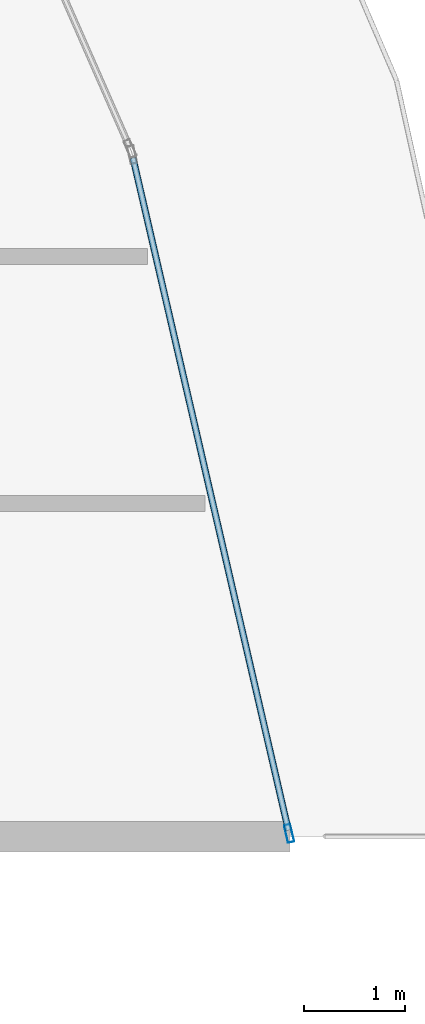
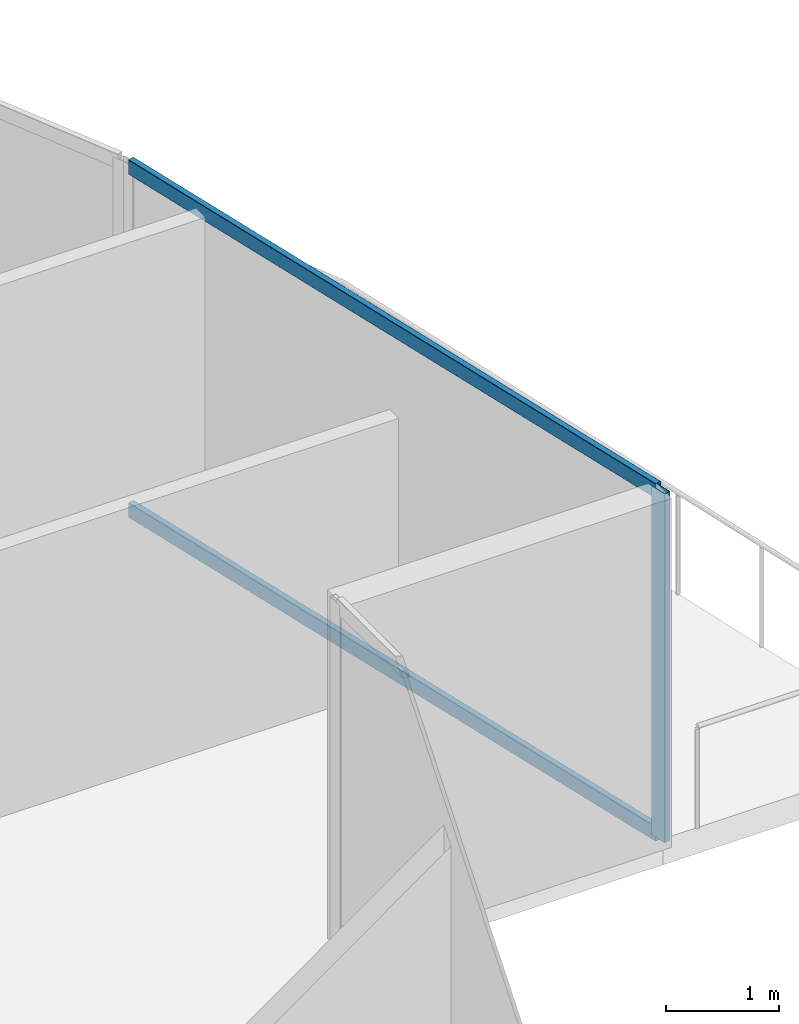
# One storey, part 27 of 44: 3 members, 1 element without a shape of its own.
"""IFC4 building model written with IfcOpenShell, lengths in metres."""

from ifc_helpers import new_model, si_unit, direction, frame, origin, origin_2d, place, context, subcontext, project, spatial, hollow_rectangle, extrude, material, layer, layer_set, material_profile, profile_set, type_object, element, aggregate, save


model = new_model("IFC4")

# Units and contexts
model_context = context("Model", 3, precision=1e-05, world=origin(), true_north=direction((0.0, 1.0)))
body_context = subcontext(model_context, "Body", "Model", "MODEL_VIEW")
ifc_project = project(units=[si_unit("LENGTHUNIT", "METRE"), si_unit("AREAUNIT", "SQUARE_METRE"), si_unit("VOLUMEUNIT", "CUBIC_METRE"), si_unit("PLANEANGLEUNIT", "RADIAN"), si_unit("MASSUNIT", "GRAM", prefix="KILO")], contexts=[model_context])

# Site, building, storey
site_placement = place(None, origin())
site = spatial("IfcSite", under=ifc_project, at=site_placement, CompositionType="ELEMENT")
building_placement = place(site_placement, origin())
building = spatial("IfcBuilding", under=site, at=building_placement, Name="Qorvath Tower", CompositionType="ELEMENT")
storey_placement = place(building_placement, frame((0.0, 0.0, 113.85009765625)))
storey = spatial("IfcBuildingStorey", under=building, at=storey_placement, Name="L25", CompositionType="ELEMENT", Elevation=113.85009765625)

# Curtain wall, members
ifc_material_1 = material(Name="Anodised aluminium and triple low-E glass", Category="aluminium")
ifc_layer = layer(ifc_material_1, 0.179931640625)
ifc_layer_set = layer_set([ifc_layer], Name="CW-SYS-2")
curtain_wall_type = type_object("IfcCurtainWallType", Name="CW-SYS-2", PredefinedType="NOTDEFINED", material=ifc_layer_set)
curtain_wall_placement = place(storey_placement, origin())
curtain_wall = element("IfcCurtainWall", 1, at=curtain_wall_placement, inside=storey, type_object=curtain_wall_type, Name="Curtain Wall CW-2 CW-T-L25-11.1", PredefinedType="NOTDEFINED")
ifc_material_2 = material(Name="Anodised aluminium 6063-T6", Category="aluminium")
ifc_material_profile_1 = material_profile(ifc_material_2, hollow_rectangle(XDim=0.06494140625, YDim=0.179931640625, WallThickness=0.00341796875, InnerFilletRadius=0.00341796875, OuterFilletRadius=0.007080078125, at=origin_2d()), Name="CWM 180x65")
ifc_profile_set_1 = profile_set([ifc_material_profile_1], Name="Anodised aluminium 6063-T6")
member_type_1 = type_object("IfcMemberType", Name="CWM-180", PredefinedType="MULLION", material=ifc_profile_set_1)
member_1_placement = place(storey_placement, frame((4.982177734375, 5.04296875, 0.0), z_axis=(0.0, 0.0, 1.0), x_axis=(-0.974312521641, -0.225200155801, 0.0)))
member_1 = element("IfcMember", 2, at=member_1_placement, type_object=member_type_1, Name="CW-2 mullion 1", PredefinedType="MULLION", context=body_context, shape_type="SweptSolid", body=[
    extrude(hollow_rectangle(XDim=0.06494140625, YDim=0.179931640625, WallThickness=0.00341796875, InnerFilletRadius=0.00341796875, OuterFilletRadius=0.007080078125, at=origin_2d()), origin(), (0.0, 0.0, 1.0), 3.77001953125),
])
ifc_material_3 = material(Name="Anodised aluminium 6063-T6", Category="aluminium")
ifc_material_profile_2 = material_profile(ifc_material_3, hollow_rectangle(XDim=0.06494140625, YDim=0.159912109375, WallThickness=0.00341796875, InnerFilletRadius=0.00341796875, OuterFilletRadius=0.007080078125, at=origin_2d()), Name="CWT 160x65")
ifc_profile_set_2 = profile_set([ifc_material_profile_2], Name="Anodised aluminium 6063-T6")
member_type_2 = type_object("IfcMemberType", Name="CWT-160", PredefinedType="USERDEFINED", material=ifc_profile_set_2)
member_2_placement = place(storey_placement, frame((4.974853515625, 5.074462890625, 0.032470703125), z_axis=(-0.225190666486, 0.974314714929, 0.0), x_axis=(-0.974314714929, -0.225190666486, 0.0)))
member_2 = element("IfcMember", 3, at=member_2_placement, type_object=member_type_2, Name="CW-2 transom 1.1", ObjectType="TRANSOM", PredefinedType="USERDEFINED", context=body_context, shape_type="SweptSolid", body=[
    extrude(hollow_rectangle(XDim=0.06494140625, YDim=0.159912109375, WallThickness=0.00341796875, InnerFilletRadius=0.00341796875, OuterFilletRadius=0.007080078125, at=origin_2d()), origin(), (0.0, 0.0, 1.0), 6.837646484375),
])
member_3_placement = place(storey_placement, frame((4.974853515625, 5.074462890625, 3.737548828125), z_axis=(-0.225190666486, 0.974314714929, 0.0), x_axis=(-0.974314714929, -0.225190666486, 0.0)))
member_3 = element("IfcMember", 4, at=member_3_placement, type_object=member_type_2, Name="CW-2 transom 1.2", ObjectType="TRANSOM", PredefinedType="USERDEFINED", context=body_context, shape_type="SweptSolid", body=[
    extrude(hollow_rectangle(XDim=0.06494140625, YDim=0.159912109375, WallThickness=0.00341796875, InnerFilletRadius=0.00341796875, OuterFilletRadius=0.007080078125, at=origin_2d()), origin(), (0.0, 0.0, 1.0), 6.837646484375),
])
aggregate(curtain_wall, [member_1, member_2, member_3])

save(model, "model.ifc")
